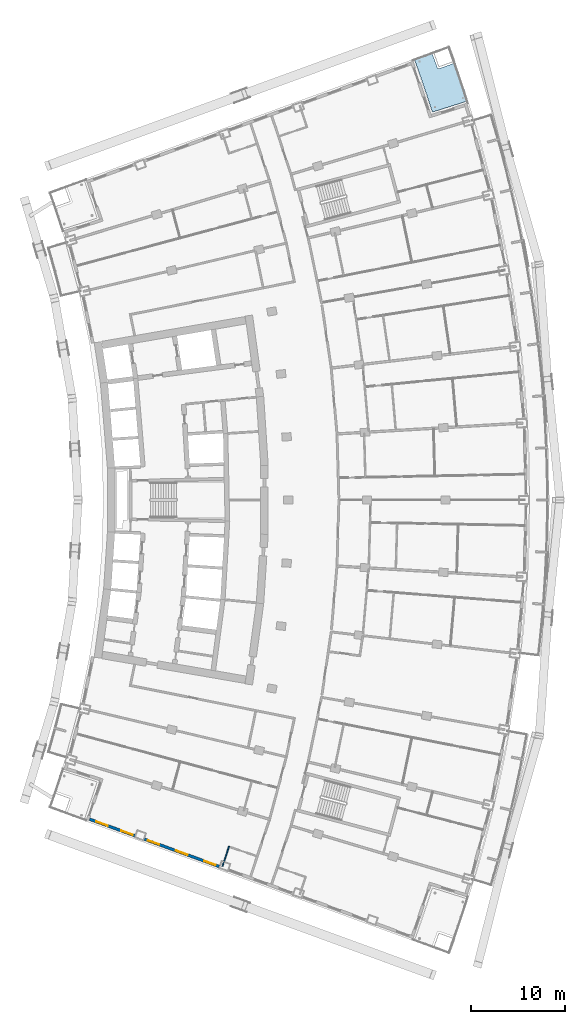
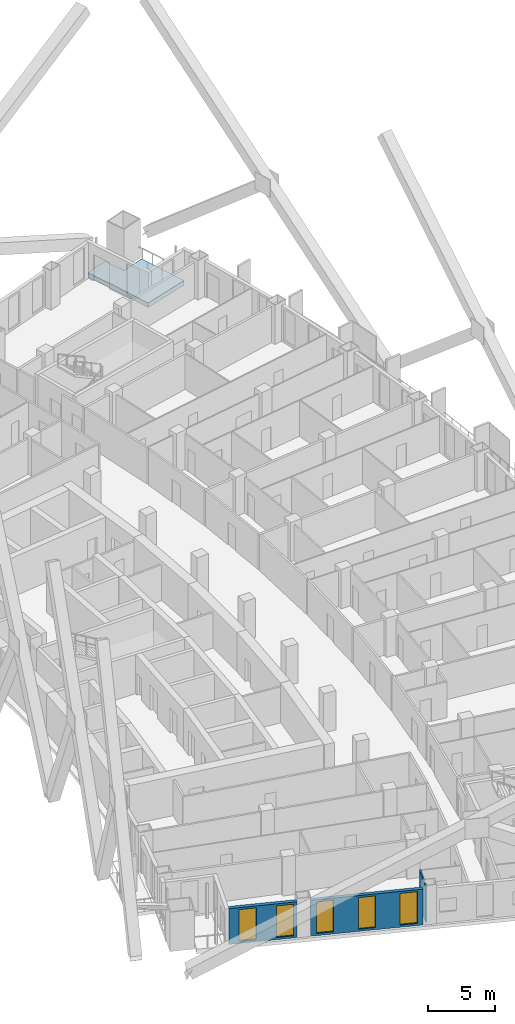
# One storey, part 10 of 24: 5 windows, 3 walls, 1 slab, 5 openings.
"""IFC4 building model written with IfcOpenShell, lengths in metres."""

from ifc_helpers import new_model, si_unit, direction, frame, frame_2d, origin, place, context, subcontext, project, spatial, polyline, rectangle, outline, extrude, material, layer, layer_set, type_object, element, fill, save


model = new_model("IFC4")

# Units and contexts
model_context = context("Model", 3, precision=1e-05, world=origin(), true_north=direction((0.0, 1.0)))
body_context = subcontext(model_context, "Body", "Model", "MODEL_VIEW")
ifc_project = project(units=[si_unit("LENGTHUNIT", "METRE"), si_unit("AREAUNIT", "SQUARE_METRE"), si_unit("VOLUMEUNIT", "CUBIC_METRE"), si_unit("PLANEANGLEUNIT", "RADIAN"), si_unit("MASSUNIT", "GRAM", prefix="KILO")], contexts=[model_context])

# Site, building, storey
site_placement = place(None, origin())
site = spatial("IfcSite", under=ifc_project, at=site_placement, CompositionType="ELEMENT")
building_placement = place(site_placement, origin())
building = spatial("IfcBuilding", under=site, at=building_placement, Name="Alderwake Tower", CompositionType="ELEMENT")
storey_placement = place(building_placement, frame((0.0, 0.0, 104.0)))
storey = spatial("IfcBuildingStorey", under=building, at=storey_placement, Name="L25", CompositionType="ELEMENT", Elevation=104.0)

# Slab
ifc_material_1 = material(Name="Concrete C50/60", Category="concrete")
ifc_layer_1 = layer(ifc_material_1, 0.419921875)
ifc_layer_set_1 = layer_set([ifc_layer_1], Name="Terrace slab 420")
slab_type = type_object("IfcSlabType", Name="Terrace slab 420", PredefinedType="FLOOR", material=ifc_layer_set_1)
slab_placement = place(storey_placement, frame((0.0, 0.0, -0.419921875)))
element("IfcSlab", 1, at=slab_placement, inside=storey, type_object=slab_type, Name="Corner terrace FN", PredefinedType="FLOOR", context=body_context, shape_type="SweptSolid", body=[
    extrude(outline(polyline([(53.708984375, 107.609375), (54.37451171875, 105.654541015625), (55.011474609375, 103.690185546875), (51.197509765625, 102.484375), (50.57861328125, 104.393310546875), (49.931884765625, 106.292724609375), (49.2578125, 108.1826171875), (51.14453125, 108.87158203125), (51.145751953125, 108.859375), (51.148681640625, 108.844970703125), (51.15283203125, 108.830810546875), (51.7255859375, 107.230224609375), (51.731201171875, 107.216552734375), (51.73828125, 107.20361328125), (51.746337890625, 107.19140625), (51.755859375, 107.179931640625), (51.76611328125, 107.169677734375), (51.777587890625, 107.160400390625), (51.789794921875, 107.152099609375), (51.802734375, 107.14501953125), (51.81640625, 107.139404296875), (51.830322265625, 107.13525390625), (51.844970703125, 107.13232421875), (51.859619140625, 107.130859375), (51.874267578125, 107.130859375), (51.888916015625, 107.13232421875), (51.9033203125, 107.13525390625), (51.91748046875, 107.139404296875), (53.65478515625, 107.76123046875), (53.708984375, 107.609375)])), origin(), (0.0, 0.0, 1.0), 0.419921875),
])

# Wall, openings, windows
ifc_material_2 = material(Name="Bronze metal cladding on lightweight framing")
ifc_layer_2 = layer(ifc_material_2, 0.300048828125)
ifc_layer_set_2 = layer_set([ifc_layer_2], Name="External wall EW2 bronze metal cladding")
wall_type_1 = type_object("IfcWallType", Name="External wall EW2 bronze metal cladding", PredefinedType="SOLIDWALL", material=ifc_layer_set_2)
wall_1_placement = place(storey_placement, frame((14.523681640625, 26.86865234375, 0.0), z_axis=(0.0, 0.0, 1.0), x_axis=(0.939378067131, -0.342883138974, 0.0)))
wall_1 = element("IfcWall", 2, at=wall_1_placement, inside=storey, type_object=wall_type_1, Name="External wall 4", PredefinedType="SOLIDWALL", context=body_context, shape_type="SweptSolid", body=[
    extrude(rectangle(XDim=5.17431640625, YDim=0.300048828125, at=frame_2d((2.587158203125, 0.0))), origin(), (0.0, 0.0, 1.0), 3.280029296875),
])
opening_1_placement = place(wall_1_placement, frame((0.775390625, 0.0, 0.199951171875)))
opening_1 = element("IfcOpeningElement", 3, at=opening_1_placement, cuts=wall_1, Name="Opening W1", PredefinedType="OPENING", context=body_context, shape_type="SweptSolid", body=[
    extrude(rectangle(XDim=1.300048828125, YDim=2.89990234375, at=frame_2d((0.64990234375, 1.449951171875))), frame((0.0, 0.159912109375, 0.0), z_axis=(0.0, -1.0, 0.0), x_axis=(1.0, 0.0, 0.0)), (0.0, 0.0, 1.0), 0.320068359375),
])
opening_2_placement = place(wall_1_placement, frame((3.626220703125, 0.0, 0.199951171875)))
opening_2 = element("IfcOpeningElement", 4, at=opening_2_placement, cuts=wall_1, Name="Opening W1", PredefinedType="OPENING", context=body_context, shape_type="SweptSolid", body=[
    extrude(rectangle(XDim=1.300048828125, YDim=2.89990234375, at=frame_2d((0.64990234375, 1.449951171875))), frame((0.0, 0.159912109375, 0.0), z_axis=(0.0, -1.0, 0.0), x_axis=(1.0, 0.0, 0.0)), (0.0, 0.0, 1.0), 0.320068359375),
])
ifc_material_3 = material(Name="Bronze tinted glass in aluminium frame", Category="aluminium")
window_type = type_object("IfcWindowType", Name="Window W1 tall fixed and vent", PartitioningType="DOUBLE_PANEL_VERTICAL", PredefinedType="WINDOW", material=ifc_material_3)
window_1_placement = place(opening_1_placement, origin())
window_1 = element("IfcWindow", 5, at=window_1_placement, inside=storey, type_object=window_type, Name="Window W1 tall fixed and vent", OverallHeight=2.89990234375, OverallWidth=1.300048828125, PartitioningType="DOUBLE_PANEL_VERTICAL", PredefinedType="WINDOW", context=body_context, shape_type="SweptSolid", body=[
    extrude(rectangle(XDim=1.300048828125, YDim=2.89990234375, at=frame_2d((0.64990234375, 1.449951171875))), frame((0.0, 0.030029296875, 0.0), z_axis=(0.0, -1.0, 0.0), x_axis=(1.0, 0.0, 0.0)), (0.0, 0.0, 1.0), 0.06005859375),
])
fill(opening_1, window_1)
window_2_placement = place(opening_2_placement, origin())
window_2 = element("IfcWindow", 6, at=window_2_placement, inside=storey, type_object=window_type, Name="Window W1 tall fixed and vent", OverallHeight=2.89990234375, OverallWidth=1.300048828125, PartitioningType="DOUBLE_PANEL_VERTICAL", PredefinedType="WINDOW", context=body_context, shape_type="SweptSolid", body=[
    extrude(rectangle(XDim=1.300048828125, YDim=2.89990234375, at=frame_2d((0.64990234375, 1.449951171875))), frame((0.0, 0.030029296875, 0.0), z_axis=(0.0, -1.0, 0.0), x_axis=(1.0, 0.0, 0.0)), (0.0, 0.0, 1.0), 0.06005859375),
])
fill(opening_2, window_2)

wall_2_placement = place(storey_placement, frame((20.375244140625, 24.73291015625, 0.0), z_axis=(0.0, 0.0, 1.0), x_axis=(0.939364770023, -0.342919566137, 0.0)))
wall_2 = element("IfcWall", 7, at=wall_2_placement, inside=storey, type_object=wall_type_1, Name="External wall 5", PredefinedType="SOLIDWALL", context=body_context, shape_type="SweptSolid", body=[
    extrude(rectangle(XDim=8.54541015625, YDim=0.300048828125, at=frame_2d((4.272705078125, 0.0))), origin(), (0.0, 0.0, 1.0), 3.280029296875),
])
opening_3_placement = place(wall_2_placement, frame((0.422607421875, 0.0, 0.199951171875)))
opening_3 = element("IfcOpeningElement", 8, at=opening_3_placement, cuts=wall_2, Name="Opening W1", PredefinedType="OPENING", context=body_context, shape_type="SweptSolid", body=[
    extrude(rectangle(XDim=1.300048828125, YDim=2.89990234375, at=frame_2d((0.64990234375, 1.449951171875))), frame((0.0, 0.159912109375, 0.0), z_axis=(0.0, -1.0, 0.0), x_axis=(1.0, 0.0, 0.0)), (0.0, 0.0, 1.0), 0.320068359375),
])
opening_4_placement = place(wall_2_placement, frame((3.622802734375, 0.0, 0.199951171875)))
opening_4 = element("IfcOpeningElement", 9, at=opening_4_placement, cuts=wall_2, Name="Opening W1", PredefinedType="OPENING", context=body_context, shape_type="SweptSolid", body=[
    extrude(rectangle(XDim=1.300048828125, YDim=2.89990234375, at=frame_2d((0.64990234375, 1.449951171875))), frame((0.0, 0.159912109375, 0.0), z_axis=(0.0, -1.0, 0.0), x_axis=(1.0, 0.0, 0.0)), (0.0, 0.0, 1.0), 0.320068359375),
])
opening_5_placement = place(wall_2_placement, frame((6.82275390625, 0.0, 0.199951171875)))
opening_5 = element("IfcOpeningElement", 10, at=opening_5_placement, cuts=wall_2, Name="Opening W1", PredefinedType="OPENING", context=body_context, shape_type="SweptSolid", body=[
    extrude(rectangle(XDim=1.300048828125, YDim=2.89990234375, at=frame_2d((0.64990234375, 1.449951171875))), frame((0.0, 0.159912109375, 0.0), z_axis=(0.0, -1.0, 0.0), x_axis=(1.0, 0.0, 0.0)), (0.0, 0.0, 1.0), 0.320068359375),
])
window_3_placement = place(opening_3_placement, origin())
window_3 = element("IfcWindow", 11, at=window_3_placement, inside=storey, type_object=window_type, Name="Window W1 tall fixed and vent", OverallHeight=2.89990234375, OverallWidth=1.300048828125, PartitioningType="DOUBLE_PANEL_VERTICAL", PredefinedType="WINDOW", context=body_context, shape_type="SweptSolid", body=[
    extrude(rectangle(XDim=1.300048828125, YDim=2.89990234375, at=frame_2d((0.64990234375, 1.449951171875))), frame((0.0, 0.030029296875, 0.0), z_axis=(0.0, -1.0, 0.0), x_axis=(1.0, 0.0, 0.0)), (0.0, 0.0, 1.0), 0.06005859375),
])
fill(opening_3, window_3)
window_4_placement = place(opening_4_placement, origin())
window_4 = element("IfcWindow", 12, at=window_4_placement, inside=storey, type_object=window_type, Name="Window W1 tall fixed and vent", OverallHeight=2.89990234375, OverallWidth=1.300048828125, PartitioningType="DOUBLE_PANEL_VERTICAL", PredefinedType="WINDOW", context=body_context, shape_type="SweptSolid", body=[
    extrude(rectangle(XDim=1.300048828125, YDim=2.89990234375, at=frame_2d((0.64990234375, 1.449951171875))), frame((0.0, 0.030029296875, 0.0), z_axis=(0.0, -1.0, 0.0), x_axis=(1.0, 0.0, 0.0)), (0.0, 0.0, 1.0), 0.06005859375),
])
fill(opening_4, window_4)
window_5_placement = place(opening_5_placement, origin())
window_5 = element("IfcWindow", 13, at=window_5_placement, inside=storey, type_object=window_type, Name="Window W1 tall fixed and vent", OverallHeight=2.89990234375, OverallWidth=1.300048828125, PartitioningType="DOUBLE_PANEL_VERTICAL", PredefinedType="WINDOW", context=body_context, shape_type="SweptSolid", body=[
    extrude(rectangle(XDim=1.300048828125, YDim=2.89990234375, at=frame_2d((0.64990234375, 1.449951171875))), frame((0.0, 0.030029296875, 0.0), z_axis=(0.0, -1.0, 0.0), x_axis=(1.0, 0.0, 0.0)), (0.0, 0.0, 1.0), 0.06005859375),
])
fill(opening_5, window_5)

# Wall
ifc_material_4 = material(Name="Moisture resistant gypsum board on metal studs")
ifc_layer_3 = layer(ifc_material_4, 0.1201171875)
ifc_layer_set_3 = layer_set([ifc_layer_3], Name="Wet room partition 120")
wall_type_2 = type_object("IfcWallType", Name="Wet room partition 120", PredefinedType="PARTITIONING", material=ifc_layer_set_3)
wall_3_placement = place(storey_placement, frame((29.4609375, 23.975830078125, 0.0), z_axis=(0.0, 0.0, 1.0), x_axis=(-0.31580536125, -0.948823995168, 0.0)))
element("IfcWall", 14, at=wall_3_placement, inside=storey, type_object=wall_type_2, Name="WL/L25/W45", PredefinedType="PARTITIONING", context=body_context, shape_type="SweptSolid", body=[
    extrude(rectangle(XDim=2.25439453125, YDim=0.1201171875, at=frame_2d((1.127197265625, 0.0))), origin(), (0.0, 0.0, 1.0), 3.280029296875),
])

save(model, "model.ifc")
